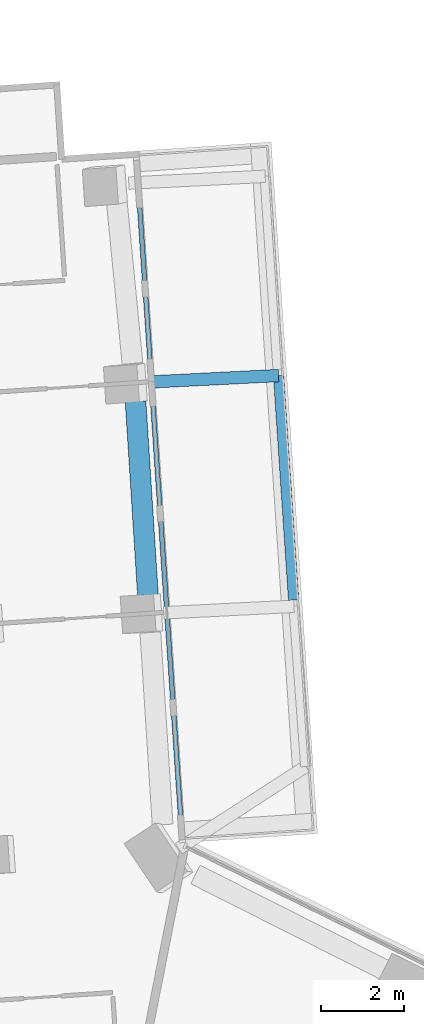
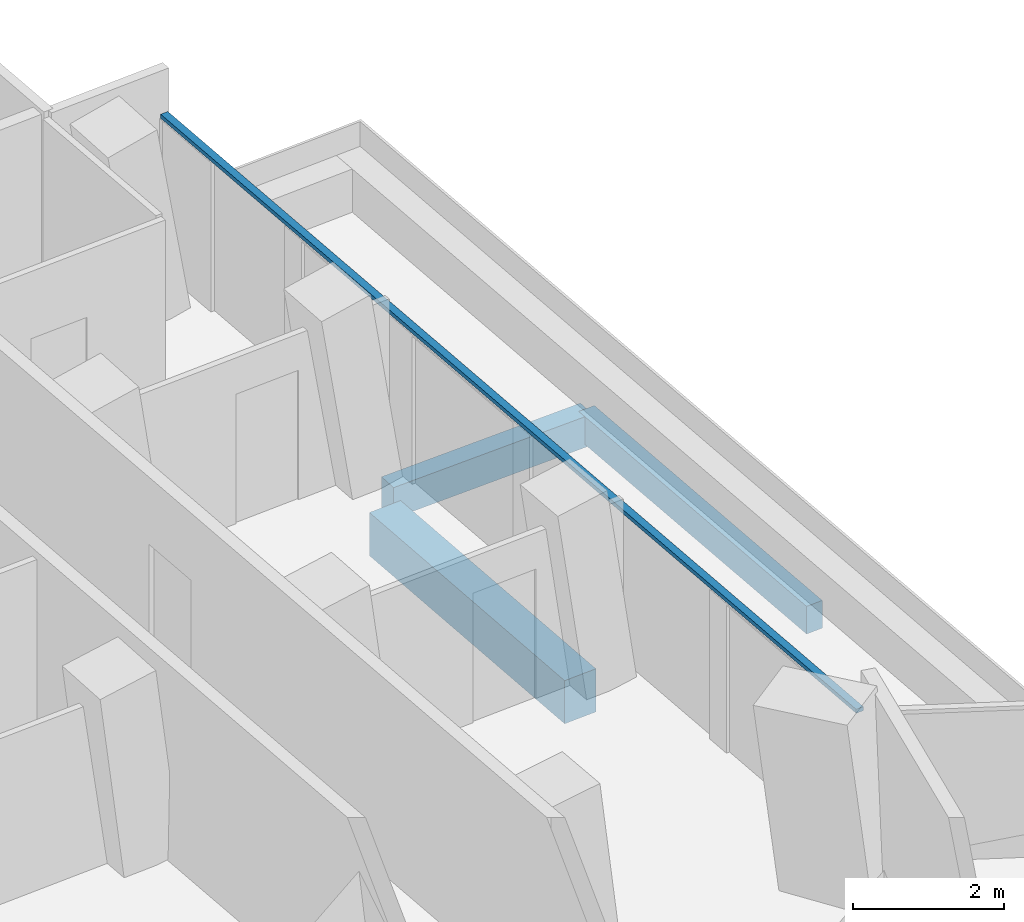
# One storey, part 10 of 25: 3 beams, 1 member, 1 element without a shape of its own.
"""IFC4 building model written with IfcOpenShell, lengths in metres."""

from ifc_helpers import new_model, si_unit, direction, frame, origin, origin_2d, place, context, subcontext, project, spatial, rectangle, extrude, material, layer, layer_set, material_profile, profile_set, type_object, element, aggregate, save


model = new_model("IFC4")

# Units and contexts
model_context = context("Model", 3, precision=1e-05, world=origin(), true_north=direction((0.0, 1.0)))
body_context = subcontext(model_context, "Body", "Model", "MODEL_VIEW")
ifc_project = project(units=[si_unit("LENGTHUNIT", "METRE"), si_unit("AREAUNIT", "SQUARE_METRE"), si_unit("VOLUMEUNIT", "CUBIC_METRE"), si_unit("PLANEANGLEUNIT", "RADIAN"), si_unit("MASSUNIT", "GRAM", prefix="KILO")], contexts=[model_context])

# Site, building, storey
site_placement = place(None, origin())
site = spatial("IfcSite", under=ifc_project, at=site_placement, CompositionType="ELEMENT")
building_placement = place(site_placement, origin())
building = spatial("IfcBuilding", under=site, at=building_placement, Name="Verdalira Terraces Hotel", CompositionType="ELEMENT")
storey_placement = place(building_placement, frame((0.0, 0.0, 49.5)))
storey = spatial("IfcBuildingStorey", under=building, at=storey_placement, Name="L10", CompositionType="ELEMENT", Elevation=49.5)

# Beams
ifc_material_1 = material(Name="Concrete C40", Category="concrete")
ifc_material_profile_1 = material_profile(ifc_material_1, rectangle(XDim=0.300049, YDim=0.5, at=origin_2d()), Name="RC 300X500")
ifc_profile_set_1 = profile_set([ifc_material_profile_1], Name="Concrete C40")
beam_type_1 = type_object("IfcBeamType", Name="Balcony cantilever beam RC 300X500 C40", PredefinedType="BEAM", material=ifc_profile_set_1)
beam_1_placement = place(storey_placement, frame((3.966309, 35.764893, -0.560059), z_axis=(0.998736234, 0.050258684, 0.0), x_axis=(-0.050258684, 0.998736234, 0.0)))
element("IfcBeam", 1, at=beam_1_placement, inside=storey, type_object=beam_type_1, Name="Balcony cantilever beam R00-3", PredefinedType="BEAM", context=body_context, shape_type="SweptSolid", body=[
    extrude(rectangle(XDim=0.300049, YDim=0.5, at=origin_2d()), origin(), (0.0, 0.0, 1.0), 3.147705),
])
ifc_material_2 = material(Name="Concrete C40", Category="concrete")
ifc_material_profile_2 = material_profile(ifc_material_2, rectangle(XDim=0.25, YDim=0.449951, at=origin_2d()), Name="RC 250X450")
ifc_profile_set_2 = profile_set([ifc_material_profile_2], Name="Concrete C40")
beam_type_2 = type_object("IfcBeamType", Name="Balcony edge beam RC 250X450 C40", PredefinedType="BEAM", material=ifc_profile_set_2)
beam_2_placement = place(storey_placement, frame((7.474365, 30.496826, -0.534912), z_axis=(-0.066977848, 0.997754463, 0.0), x_axis=(-0.997754463, -0.066977848, 0.0)))
element("IfcBeam", 2, at=beam_2_placement, inside=storey, type_object=beam_type_2, Name="Balcony edge beam R00-2", PredefinedType="BEAM", context=body_context, shape_type="SweptSolid", body=[
    extrude(rectangle(XDim=0.25, YDim=0.449951, at=origin_2d()), origin(), (0.0, 0.0, 1.0), 5.438477),
])

# Curtain wall, member
ifc_material_3 = material(Name="Clear glass", Category="glass")
ifc_layer = layer(ifc_material_3, 0.14990234375)
ifc_layer_set = layer_set([ifc_layer], Name="CW2 curtain wall")
curtain_wall_type = type_object("IfcCurtainWallType", Name="CW2 curtain wall", PredefinedType="NOTDEFINED", material=ifc_layer_set)
curtain_wall_placement = place(storey_placement, origin())
curtain_wall = element("IfcCurtainWall", 3, at=curtain_wall_placement, inside=storey, type_object=curtain_wall_type, Name="CW2 curtain wall L10 edge 0", PredefinedType="NOTDEFINED")
ifc_material_4 = material(Name="Terracotta frame", Category="masonry")
ifc_material_profile_3 = material_profile(ifc_material_4, rectangle(XDim=0.11499, YDim=0.064941, at=origin_2d()), Name="TR 65x115")
ifc_profile_set_3 = profile_set([ifc_material_profile_3], Name="Terracotta frame")
member_type = type_object("IfcMemberType", Name="CW2 transom 65x115", PredefinedType="USERDEFINED", material=ifc_profile_set_3)
member_placement = place(storey_placement, frame((4.785889, 24.634033, 2.45752), z_axis=(-0.066963157, 0.997755449, 0.0), x_axis=(-0.997755449, -0.066963157, 0.0)))
member = element("IfcMember", 4, at=member_placement, type_object=member_type, Name="CW2 transom", ObjectType="TRANSOM", PredefinedType="USERDEFINED", context=body_context, shape_type="SweptSolid", body=[
    extrude(rectangle(XDim=0.11499, YDim=0.064941, at=origin_2d()), origin(), (0.0, 0.0, 1.0), 16.599854),
])
aggregate(curtain_wall, [member])

# Beam
ifc_material_5 = material(Name="Concrete C70", Category="concrete")
ifc_material_profile_4 = material_profile(ifc_material_5, rectangle(XDim=0.5, YDim=0.699951, at=origin_2d()), Name="RC 500X700")
ifc_profile_set_4 = profile_set([ifc_material_profile_4], Name="Concrete C70")
beam_type_3 = type_object("IfcBeamType", Name="Spandrel beam RC 500X700 C70", PredefinedType="SPANDREL", material=ifc_profile_set_4)
beam_3_placement = place(storey_placement, frame((3.953857, 30.621826, -0.659912), z_axis=(-0.063809518, 0.997962096, 0.0), x_axis=(-0.997962096, -0.063809518, 0.0)))
element("IfcBeam", 5, at=beam_3_placement, inside=storey, type_object=beam_type_3, Name="Spandrel beam B02", PredefinedType="SPANDREL", context=body_context, shape_type="SweptSolid", body=[
    extrude(rectangle(XDim=0.5, YDim=0.699951, at=origin_2d()), origin(), (0.0, 0.0, 1.0), 4.683105),
])

save(model, "model.ifc")
